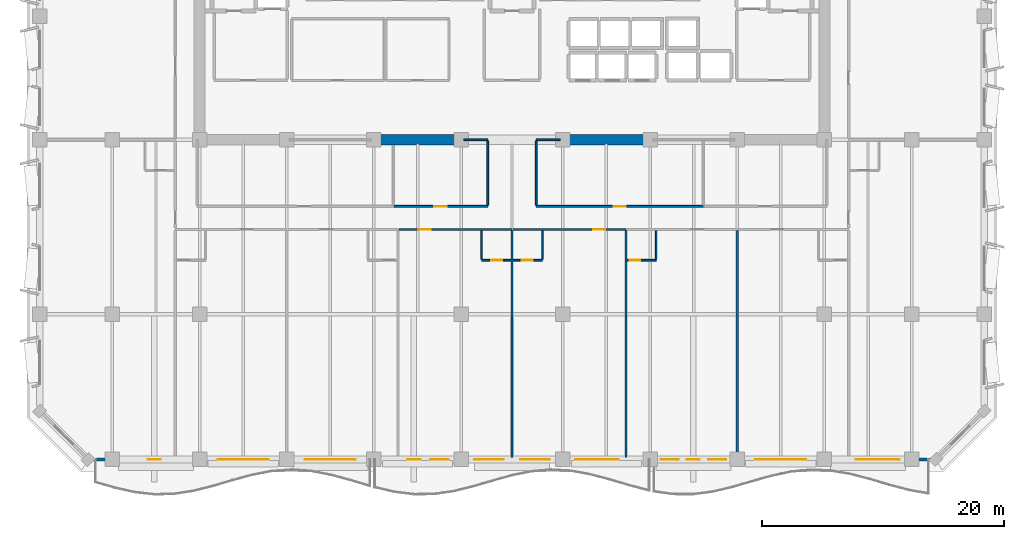
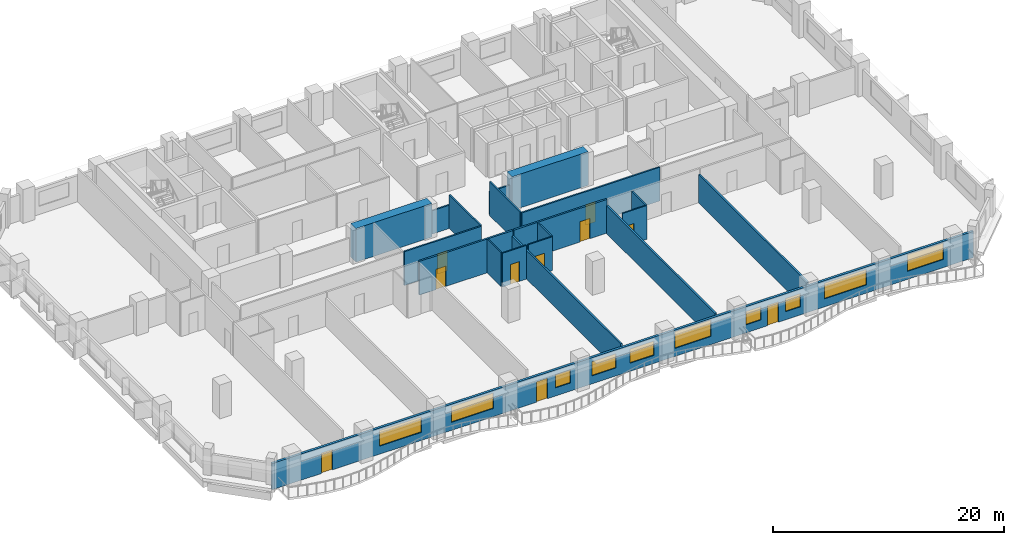
# One storey, part 5 of 14: 20 walls, 10 doors, 10 windows, 20 openings.
"""IFC4 building model written with IfcOpenShell, lengths in metres."""

from ifc_helpers import new_model, si_unit, direction, frame, frame_2d, origin, place, context, subcontext, project, spatial, rectangle, extrude, material, layer, layer_set, type_object, element, fill, save


model = new_model("IFC4")

# Units and contexts
model_context = context("Model", 3, precision=1e-05, world=origin(), true_north=direction((0.0, 1.0)))
body_context = subcontext(model_context, "Body", "Model", "MODEL_VIEW")
ifc_project = project(units=[si_unit("LENGTHUNIT", "METRE"), si_unit("AREAUNIT", "SQUARE_METRE"), si_unit("VOLUMEUNIT", "CUBIC_METRE"), si_unit("PLANEANGLEUNIT", "RADIAN"), si_unit("MASSUNIT", "GRAM", prefix="KILO")], contexts=[model_context])

# Site, building, storey
site_placement = place(None, origin())
site = spatial("IfcSite", under=ifc_project, at=site_placement, CompositionType="ELEMENT")
building_placement = place(site_placement, origin())
building = spatial("IfcBuilding", under=site, at=building_placement, Name="Kaelvorn Grand Hotel", CompositionType="ELEMENT")
storey_placement = place(building_placement, frame((0.0, 0.0, 197.75)))
storey = spatial("IfcBuildingStorey", under=building, at=storey_placement, Name="L48", CompositionType="ELEMENT", Elevation=197.75)

# Walls
ifc_material_1 = material(Name="Concrete C60/75", Category="concrete")
ifc_layer_1 = layer(ifc_material_1, 0.89990234375)
ifc_layer_set_1 = layer_set([ifc_layer_1], Name="Concrete C60/75")
wall_type_1 = type_object("IfcWallType", Name="WL-CORE-900-C60", PredefinedType="SHEAR", material=ifc_layer_set_1)
for number, where, z_axis, x_axis, name in (
    (1, (30.39990234375, 29.39990234375, 0.0), (0.0, 0.0, 1.0), (1.0, 0.0, 0.0), "L48 Rear-Core Coupled Shear Pier S2"),
    (2, (46.0, 29.39990234375, 0.0), (0.0, 0.0, 1.0), (1.0, 0.0, 0.0), "L48 Rear-Core Coupled Shear Pier S3"),
):
    element("IfcWall", number, at=place(storey_placement, frame(where, z_axis=z_axis, x_axis=x_axis)), inside=storey, type_object=wall_type_1, Name=name, PredefinedType="SHEAR", context=body_context, shape_type="SweptSolid", body=[
        extrude(rectangle(XDim=7.60009765625, YDim=0.89990234375, at=frame_2d((3.800048828125, 0.0))), origin(), (0.0, 0.0, 1.0), 3.56005859375),
    ])

# Wall, openings, doors, windows
ifc_material_2 = material(Name="Concrete C40/50", Category="concrete")
ifc_layer_2 = layer(ifc_material_2, 0.239990234375)
ifc_layer_set_2 = layer_set([ifc_layer_2], Name="Concrete C40/50")
wall_type_2 = type_object("IfcWallType", Name="WL-EXT-240-C40", PredefinedType="SOLIDWALL", material=ifc_layer_set_2)
wall_1_placement = place(storey_placement, frame((7.0, 3.0, 0.0), z_axis=(0.0, 0.0, 1.0), x_axis=(1.0, 0.0, 0.0)))
wall_1 = element("IfcWall", 3, at=wall_1_placement, inside=storey, type_object=wall_type_2, Name="L48 Exterior Architectural Concrete Wall 01", PredefinedType="SOLIDWALL", context=body_context, shape_type="SweptSolid", body=[
    extrude(rectangle(XDim=70.0, YDim=0.239990234375, at=frame_2d((35.0, 0.0))), origin(), (0.0, 0.0, 1.0), 2.760009765625),
])
opening_1_placement = place(wall_1_placement, frame((4.906982421875, 0.0, 0.0)))
opening_1 = element("IfcOpeningElement", 4, at=opening_1_placement, cuts=wall_1, Name="Opening DE2", PredefinedType="OPENING", context=body_context, shape_type="SweptSolid", body=[
    extrude(rectangle(XDim=1.10009765625, YDim=2.14990234375, at=frame_2d((0.550048828125, 1.074951171875))), frame((0.0, 0.1298828125, 0.0), z_axis=(0.0, -1.0, 0.0), x_axis=(1.0, 0.0, 0.0)), (0.0, 0.0, 1.0), 0.260009765625),
])
opening_2_placement = place(wall_1_placement, frame((26.354736328125, 0.0, 0.0)))
opening_2 = element("IfcOpeningElement", 5, at=opening_2_placement, cuts=wall_1, Name="Opening DE2", PredefinedType="OPENING", context=body_context, shape_type="SweptSolid", body=[
    extrude(rectangle(XDim=1.10009765625, YDim=2.14990234375, at=frame_2d((0.550048828125, 1.074951171875))), frame((0.0, 0.1298828125, 0.0), z_axis=(0.0, -1.0, 0.0), x_axis=(1.0, 0.0, 0.0)), (0.0, 0.0, 1.0), 0.260009765625),
])
opening_3_placement = place(wall_1_placement, frame((49.42138671875, 0.0, 0.0)))
opening_3 = element("IfcOpeningElement", 6, at=opening_3_placement, cuts=wall_1, Name="Opening DE2", PredefinedType="OPENING", context=body_context, shape_type="SweptSolid", body=[
    extrude(rectangle(XDim=1.10009765625, YDim=2.14990234375, at=frame_2d((0.550048828125, 1.074951171875))), frame((0.0, 0.1298828125, 0.0), z_axis=(0.0, -1.0, 0.0), x_axis=(1.0, 0.0, 0.0)), (0.0, 0.0, 1.0), 0.260009765625),
])
opening_4_placement = place(wall_1_placement, frame((10.699951171875, 0.0, 0.85009765625)))
opening_4 = element("IfcOpeningElement", 7, at=opening_4_placement, cuts=wall_1, Name="Opening W2", PredefinedType="OPENING", context=body_context, shape_type="SweptSolid", body=[
    extrude(rectangle(XDim=4.199951171875, YDim=1.64990234375, at=frame_2d((2.10009765625, 0.824951171875))), frame((0.0, 0.1298828125, 0.0), z_axis=(0.0, -1.0, 0.0), x_axis=(1.0, 0.0, 0.0)), (0.0, 0.0, 1.0), 0.260009765625),
])
opening_5_placement = place(wall_1_placement, frame((17.89990234375, 0.0, 0.85009765625)))
opening_5 = element("IfcOpeningElement", 8, at=opening_5_placement, cuts=wall_1, Name="Opening W2", PredefinedType="OPENING", context=body_context, shape_type="SweptSolid", body=[
    extrude(rectangle(XDim=4.199951171875, YDim=1.64990234375, at=frame_2d((2.10009765625, 0.824951171875))), frame((0.0, 0.1298828125, 0.0), z_axis=(0.0, -1.0, 0.0), x_axis=(1.0, 0.0, 0.0)), (0.0, 0.0, 1.0), 0.260009765625),
])
opening_6_placement = place(wall_1_placement, frame((28.262451171875, 0.0, 0.85009765625)))
opening_6 = element("IfcOpeningElement", 9, at=opening_6_placement, cuts=wall_1, Name="Opening W10", PredefinedType="OPENING", context=body_context, shape_type="SweptSolid", body=[
    extrude(rectangle(XDim=1.5, YDim=1.39990234375, at=frame_2d((0.75, 0.699951171875))), frame((0.0, 0.1298828125, 0.0), z_axis=(0.0, -1.0, 0.0), x_axis=(1.0, 0.0, 0.0)), (0.0, 0.0, 1.0), 0.260009765625),
])
opening_7_placement = place(wall_1_placement, frame((31.89990234375, 0.0, 0.85009765625)))
opening_7 = element("IfcOpeningElement", 10, at=opening_7_placement, cuts=wall_1, Name="Opening W6", PredefinedType="OPENING", context=body_context, shape_type="SweptSolid", body=[
    extrude(rectangle(XDim=2.39990234375, YDim=1.5, at=frame_2d((1.199951171875, 0.75))), frame((0.0, 0.1298828125, 0.0), z_axis=(0.0, -1.0, 0.0), x_axis=(1.0, 0.0, 0.0)), (0.0, 0.0, 1.0), 0.260009765625),
])
opening_8_placement = place(wall_1_placement, frame((35.699951171875, 0.0, 0.85009765625)))
opening_8 = element("IfcOpeningElement", 11, at=opening_8_placement, cuts=wall_1, Name="Opening W6", PredefinedType="OPENING", context=body_context, shape_type="SweptSolid", body=[
    extrude(rectangle(XDim=2.39990234375, YDim=1.5, at=frame_2d((1.199951171875, 0.75))), frame((0.0, 0.1298828125, 0.0), z_axis=(0.0, -1.0, 0.0), x_axis=(1.0, 0.0, 0.0)), (0.0, 0.0, 1.0), 0.260009765625),
])
opening_9_placement = place(wall_1_placement, frame((40.20458984375, 0.0, 0.85009765625)))
opening_9 = element("IfcOpeningElement", 12, at=opening_9_placement, cuts=wall_1, Name="Opening W3", PredefinedType="OPENING", context=body_context, shape_type="SweptSolid", body=[
    extrude(rectangle(XDim=3.60009765625, YDim=1.75, at=frame_2d((1.800048828125, 0.875))), frame((0.0, 0.1298828125, 0.0), z_axis=(0.0, -1.0, 0.0), x_axis=(1.0, 0.0, 0.0)), (0.0, 0.0, 1.0), 0.260009765625),
])
opening_10_placement = place(wall_1_placement, frame((47.275634765625, 0.0, 0.85009765625)))
opening_10 = element("IfcOpeningElement", 13, at=opening_10_placement, cuts=wall_1, Name="Opening W10", PredefinedType="OPENING", context=body_context, shape_type="SweptSolid", body=[
    extrude(rectangle(XDim=1.5, YDim=1.39990234375, at=frame_2d((0.75, 0.699951171875))), frame((0.0, 0.1298828125, 0.0), z_axis=(0.0, -1.0, 0.0), x_axis=(1.0, 0.0, 0.0)), (0.0, 0.0, 1.0), 0.260009765625),
])
opening_11_placement = place(wall_1_placement, frame((51.19580078125, 0.0, 0.85009765625)))
opening_11 = element("IfcOpeningElement", 14, at=opening_11_placement, cuts=wall_1, Name="Opening W10", PredefinedType="OPENING", context=body_context, shape_type="SweptSolid", body=[
    extrude(rectangle(XDim=1.5, YDim=1.39990234375, at=frame_2d((0.75, 0.699951171875))), frame((0.0, 0.1298828125, 0.0), z_axis=(0.0, -1.0, 0.0), x_axis=(1.0, 0.0, 0.0)), (0.0, 0.0, 1.0), 0.260009765625),
])
opening_12_placement = place(wall_1_placement, frame((55.10009765625, 0.0, 0.85009765625)))
opening_12 = element("IfcOpeningElement", 15, at=opening_12_placement, cuts=wall_1, Name="Opening W2", PredefinedType="OPENING", context=body_context, shape_type="SweptSolid", body=[
    extrude(rectangle(XDim=4.199951171875, YDim=1.64990234375, at=frame_2d((2.10009765625, 0.824951171875))), frame((0.0, 0.1298828125, 0.0), z_axis=(0.0, -1.0, 0.0), x_axis=(1.0, 0.0, 0.0)), (0.0, 0.0, 1.0), 0.260009765625),
])
opening_13_placement = place(wall_1_placement, frame((63.39990234375, 0.0, 0.85009765625)))
opening_13 = element("IfcOpeningElement", 16, at=opening_13_placement, cuts=wall_1, Name="Opening W3", PredefinedType="OPENING", context=body_context, shape_type="SweptSolid", body=[
    extrude(rectangle(XDim=3.60009765625, YDim=1.75, at=frame_2d((1.800048828125, 0.875))), frame((0.0, 0.1298828125, 0.0), z_axis=(0.0, -1.0, 0.0), x_axis=(1.0, 0.0, 0.0)), (0.0, 0.0, 1.0), 0.260009765625),
])
ifc_material_3 = material(Name="Anodised Aluminium", Category="aluminium")
door_type_1 = type_object("IfcDoorType", Name="DR-EXT-BALC-1100x2150", OperationType="NOTDEFINED", PredefinedType="DOOR", material=ifc_material_3)
door_1_placement = place(opening_1_placement, origin())
door_1 = element("IfcDoor", 17, at=door_1_placement, inside=storey, type_object=door_type_1, Name="L48 Scalloped Balcony Glazed Door DE2-1", OperationType="SINGLE_SWING_LEFT", OverallHeight=2.14990234375, OverallWidth=1.10009765625, PredefinedType="DOOR", context=body_context, shape_type="SweptSolid", body=[
    extrude(rectangle(XDim=1.10009765625, YDim=2.14990234375, at=frame_2d((0.550048828125, 1.074951171875))), frame((0.0, 0.02490234375, 0.0), z_axis=(0.0, -1.0, 0.0), x_axis=(1.0, 0.0, 0.0)), (0.0, 0.0, 1.0), 0.050048828125),
])
fill(opening_1, door_1)
door_2_placement = place(opening_2_placement, origin())
door_2 = element("IfcDoor", 18, at=door_2_placement, inside=storey, type_object=door_type_1, Name="L48 Scalloped Balcony Glazed Door DE2-2", OperationType="SINGLE_SWING_RIGHT", OverallHeight=2.14990234375, OverallWidth=1.10009765625, PredefinedType="DOOR", context=body_context, shape_type="SweptSolid", body=[
    extrude(rectangle(XDim=1.10009765625, YDim=2.14990234375, at=frame_2d((0.550048828125, 1.074951171875))), frame((0.0, 0.02490234375, 0.0), z_axis=(0.0, -1.0, 0.0), x_axis=(1.0, 0.0, 0.0)), (0.0, 0.0, 1.0), 0.050048828125),
])
fill(opening_2, door_2)
door_3_placement = place(opening_3_placement, origin())
door_3 = element("IfcDoor", 19, at=door_3_placement, inside=storey, type_object=door_type_1, Name="L48 Scalloped Balcony Glazed Door DE2-3", OperationType="SINGLE_SWING_LEFT", OverallHeight=2.14990234375, OverallWidth=1.10009765625, PredefinedType="DOOR", context=body_context, shape_type="SweptSolid", body=[
    extrude(rectangle(XDim=1.10009765625, YDim=2.14990234375, at=frame_2d((0.550048828125, 1.074951171875))), frame((0.0, 0.02490234375, 0.0), z_axis=(0.0, -1.0, 0.0), x_axis=(1.0, 0.0, 0.0)), (0.0, 0.0, 1.0), 0.050048828125),
])
fill(opening_3, door_3)
ifc_material_4 = material(Name="Laminated Low-E Glass", Category="glass")
window_type_1 = type_object("IfcWindowType", Name="WIN-COR-1500x1400", PartitioningType="SINGLE_PANEL", PredefinedType="WINDOW", material=ifc_material_4)
window_1_placement = place(opening_6_placement, origin())
window_1 = element("IfcWindow", 20, at=window_1_placement, inside=storey, type_object=window_type_1, Name="L48 South Guestroom Ribbon Window SR03", OverallHeight=1.39990234375, OverallWidth=1.5, PartitioningType="SINGLE_PANEL", PredefinedType="WINDOW", context=body_context, shape_type="SweptSolid", body=[
    extrude(rectangle(XDim=1.5, YDim=1.39990234375, at=frame_2d((0.75, 0.699951171875))), frame((0.0, 0.030029296875, 0.0), z_axis=(0.0, -1.0, 0.0), x_axis=(1.0, 0.0, 0.0)), (0.0, 0.0, 1.0), 0.06005859375),
])
fill(opening_6, window_1)
window_2_placement = place(opening_10_placement, origin())
window_2 = element("IfcWindow", 21, at=window_2_placement, inside=storey, type_object=window_type_1, Name="L48 South Guestroom Ribbon Window SR07", OverallHeight=1.39990234375, OverallWidth=1.5, PartitioningType="SINGLE_PANEL", PredefinedType="WINDOW", context=body_context, shape_type="SweptSolid", body=[
    extrude(rectangle(XDim=1.5, YDim=1.39990234375, at=frame_2d((0.75, 0.699951171875))), frame((0.0, 0.030029296875, 0.0), z_axis=(0.0, -1.0, 0.0), x_axis=(1.0, 0.0, 0.0)), (0.0, 0.0, 1.0), 0.06005859375),
])
fill(opening_10, window_2)
window_3_placement = place(opening_11_placement, origin())
window_3 = element("IfcWindow", 22, at=window_3_placement, inside=storey, type_object=window_type_1, Name="L48 South Guestroom Ribbon Window SR08", OverallHeight=1.39990234375, OverallWidth=1.5, PartitioningType="SINGLE_PANEL", PredefinedType="WINDOW", context=body_context, shape_type="SweptSolid", body=[
    extrude(rectangle(XDim=1.5, YDim=1.39990234375, at=frame_2d((0.75, 0.699951171875))), frame((0.0, 0.030029296875, 0.0), z_axis=(0.0, -1.0, 0.0), x_axis=(1.0, 0.0, 0.0)), (0.0, 0.0, 1.0), 0.06005859375),
])
fill(opening_11, window_3)
window_type_2 = type_object("IfcWindowType", Name="WIN-NTH-2400x1500", PartitioningType="SINGLE_PANEL", PredefinedType="WINDOW", material=ifc_material_4)
window_4_placement = place(opening_7_placement, origin())
window_4 = element("IfcWindow", 23, at=window_4_placement, inside=storey, type_object=window_type_2, Name="L48 South Guestroom Ribbon Window SR04", OverallHeight=1.5, OverallWidth=2.39990234375, PartitioningType="SINGLE_PANEL", PredefinedType="WINDOW", context=body_context, shape_type="SweptSolid", body=[
    extrude(rectangle(XDim=2.39990234375, YDim=1.5, at=frame_2d((1.199951171875, 0.75))), frame((0.0, 0.030029296875, 0.0), z_axis=(0.0, -1.0, 0.0), x_axis=(1.0, 0.0, 0.0)), (0.0, 0.0, 1.0), 0.06005859375),
])
fill(opening_7, window_4)
window_5_placement = place(opening_8_placement, origin())
window_5 = element("IfcWindow", 24, at=window_5_placement, inside=storey, type_object=window_type_2, Name="L48 South Guestroom Ribbon Window SR05", OverallHeight=1.5, OverallWidth=2.39990234375, PartitioningType="SINGLE_PANEL", PredefinedType="WINDOW", context=body_context, shape_type="SweptSolid", body=[
    extrude(rectangle(XDim=2.39990234375, YDim=1.5, at=frame_2d((1.199951171875, 0.75))), frame((0.0, 0.030029296875, 0.0), z_axis=(0.0, -1.0, 0.0), x_axis=(1.0, 0.0, 0.0)), (0.0, 0.0, 1.0), 0.06005859375),
])
fill(opening_8, window_5)
window_type_3 = type_object("IfcWindowType", Name="WIN-RIB-3600x1750", PartitioningType="SINGLE_PANEL", PredefinedType="WINDOW", material=ifc_material_4)
window_6_placement = place(opening_9_placement, origin())
window_6 = element("IfcWindow", 25, at=window_6_placement, inside=storey, type_object=window_type_3, Name="L48 South Guestroom Ribbon Window SR06", OverallHeight=1.75, OverallWidth=3.60009765625, PartitioningType="SINGLE_PANEL", PredefinedType="WINDOW", context=body_context, shape_type="SweptSolid", body=[
    extrude(rectangle(XDim=3.60009765625, YDim=1.75, at=frame_2d((1.800048828125, 0.875))), frame((0.0, 0.030029296875, 0.0), z_axis=(0.0, -1.0, 0.0), x_axis=(1.0, 0.0, 0.0)), (0.0, 0.0, 1.0), 0.06005859375),
])
fill(opening_9, window_6)
window_7_placement = place(opening_13_placement, origin())
window_7 = element("IfcWindow", 26, at=window_7_placement, inside=storey, type_object=window_type_3, Name="L48 South Guestroom Ribbon Window SR10", OverallHeight=1.75, OverallWidth=3.60009765625, PartitioningType="SINGLE_PANEL", PredefinedType="WINDOW", context=body_context, shape_type="SweptSolid", body=[
    extrude(rectangle(XDim=3.60009765625, YDim=1.75, at=frame_2d((1.800048828125, 0.875))), frame((0.0, 0.030029296875, 0.0), z_axis=(0.0, -1.0, 0.0), x_axis=(1.0, 0.0, 0.0)), (0.0, 0.0, 1.0), 0.06005859375),
])
fill(opening_13, window_7)
window_type_4 = type_object("IfcWindowType", Name="WIN-RIB-4200x1650", PartitioningType="SINGLE_PANEL", PredefinedType="WINDOW", material=ifc_material_4)
window_8_placement = place(opening_4_placement, origin())
window_8 = element("IfcWindow", 27, at=window_8_placement, inside=storey, type_object=window_type_4, Name="L48 South Guestroom Ribbon Window SR01", OverallHeight=1.64990234375, OverallWidth=4.199951171875, PartitioningType="SINGLE_PANEL", PredefinedType="WINDOW", context=body_context, shape_type="SweptSolid", body=[
    extrude(rectangle(XDim=4.199951171875, YDim=1.64990234375, at=frame_2d((2.10009765625, 0.824951171875))), frame((0.0, 0.030029296875, 0.0), z_axis=(0.0, -1.0, 0.0), x_axis=(1.0, 0.0, 0.0)), (0.0, 0.0, 1.0), 0.06005859375),
])
fill(opening_4, window_8)
window_9_placement = place(opening_5_placement, origin())
window_9 = element("IfcWindow", 28, at=window_9_placement, inside=storey, type_object=window_type_4, Name="L48 South Guestroom Ribbon Window SR02", OverallHeight=1.64990234375, OverallWidth=4.199951171875, PartitioningType="SINGLE_PANEL", PredefinedType="WINDOW", context=body_context, shape_type="SweptSolid", body=[
    extrude(rectangle(XDim=4.199951171875, YDim=1.64990234375, at=frame_2d((2.10009765625, 0.824951171875))), frame((0.0, 0.030029296875, 0.0), z_axis=(0.0, -1.0, 0.0), x_axis=(1.0, 0.0, 0.0)), (0.0, 0.0, 1.0), 0.06005859375),
])
fill(opening_5, window_9)
window_10_placement = place(opening_12_placement, origin())
window_10 = element("IfcWindow", 29, at=window_10_placement, inside=storey, type_object=window_type_4, Name="L48 South Guestroom Ribbon Window SR09", OverallHeight=1.64990234375, OverallWidth=4.199951171875, PartitioningType="SINGLE_PANEL", PredefinedType="WINDOW", context=body_context, shape_type="SweptSolid", body=[
    extrude(rectangle(XDim=4.199951171875, YDim=1.64990234375, at=frame_2d((2.10009765625, 0.824951171875))), frame((0.0, 0.030029296875, 0.0), z_axis=(0.0, -1.0, 0.0), x_axis=(1.0, 0.0, 0.0)), (0.0, 0.0, 1.0), 0.06005859375),
])
fill(opening_12, window_10)

# Wall, opening, door
ifc_material_5 = material(Name="Moisture-Resistant Tile & Stud Board")
ifc_layer_3 = layer(ifc_material_5, 0.125)
ifc_layer_set_3 = layer_set([ifc_layer_3], Name="Moisture-Resistant Tile & Stud Board")
wall_type_3 = type_object("IfcWallType", Name="WL-PART-125-WET", PredefinedType="PARTITIONING", material=ifc_layer_set_3)
wall_2_placement = place(storey_placement, frame((39.5, 19.449951171875, 0.0), z_axis=(0.0, 0.0, 1.0), x_axis=(1.0, 0.0, 0.0)))
wall_2 = element("IfcWall", 30, at=wall_2_placement, inside=storey, type_object=wall_type_3, Name="L48 En-suite Bathroom L48-03 S Partition", PredefinedType="PARTITIONING", context=body_context, shape_type="SweptSolid", body=[
    extrude(rectangle(XDim=2.405029296875, YDim=0.125, at=frame_2d((1.20263671875, 0.0))), origin(), (0.0, 0.0, 1.0), 3.56005859375),
])
opening_14_placement = place(wall_2_placement, frame((0.800048828125, 0.0, 0.0)))
opening_14 = element("IfcOpeningElement", 31, at=opening_14_placement, cuts=wall_2, Name="Opening DI4", PredefinedType="OPENING", context=body_context, shape_type="SweptSolid", body=[
    extrude(rectangle(XDim=0.89990234375, YDim=2.10009765625, at=frame_2d((0.449951171875, 1.050048828125))), frame((0.0, 0.072509765625, 0.0), z_axis=(0.0, -1.0, 0.0), x_axis=(1.0, 0.0, 0.0)), (0.0, 0.0, 1.0), 0.14501953125),
])
ifc_material_6 = material(Name="Timber Veneer Leaf", Category="wood")
door_type_2 = type_object("IfcDoorType", Name="DR-INT-BATH-900x2100", OperationType="NOTDEFINED", PredefinedType="DOOR", material=ifc_material_6)
door_4_placement = place(opening_14_placement, origin())
door_4 = element("IfcDoor", 32, at=door_4_placement, inside=storey, type_object=door_type_2, Name="L48 En-suite Bathroom L48-03 Door", OperationType="SINGLE_SWING_RIGHT", OverallHeight=2.10009765625, OverallWidth=0.89990234375, PredefinedType="DOOR", context=body_context, shape_type="SweptSolid", body=[
    extrude(rectangle(XDim=0.89990234375, YDim=2.10009765625, at=frame_2d((0.449951171875, 1.050048828125))), frame((0.0, 0.02490234375, 0.0), z_axis=(0.0, -1.0, 0.0), x_axis=(1.0, 0.0, 0.0)), (0.0, 0.0, 1.0), 0.050048828125),
])
fill(opening_14, door_4)

# Wall
wall_3_placement = place(storey_placement, frame((39.5, 19.517578125, 0.0), z_axis=(0.0, 0.0, 1.0), x_axis=(0.0, 1.0, 0.0)))
element("IfcWall", 33, at=wall_3_placement, inside=storey, type_object=wall_type_3, Name="L48 En-suite Bathroom L48-03 W Partition", PredefinedType="PARTITIONING", context=body_context, shape_type="SweptSolid", body=[
    extrude(rectangle(XDim=2.387451171875, YDim=0.125, at=frame_2d((1.19384765625, 0.0))), origin(), (0.0, 0.0, 1.0), 3.56005859375),
])

# Wall, opening, door
wall_4_placement = place(storey_placement, frame((42.094970703125, 19.449951171875, 0.0), z_axis=(0.0, 0.0, 1.0), x_axis=(1.0, 0.0, 0.0)))
wall_4 = element("IfcWall", 34, at=wall_4_placement, inside=storey, type_object=wall_type_3, Name="L48 En-suite Bathroom L48-04 S Partition", PredefinedType="PARTITIONING", context=body_context, shape_type="SweptSolid", body=[
    extrude(rectangle(XDim=2.405029296875, YDim=0.125, at=frame_2d((1.20263671875, 0.0))), origin(), (0.0, 0.0, 1.0), 3.56005859375),
])
opening_15_placement = place(wall_4_placement, frame((0.705078125, 0.0, 0.0)))
opening_15 = element("IfcOpeningElement", 35, at=opening_15_placement, cuts=wall_4, Name="Opening DI4", PredefinedType="OPENING", context=body_context, shape_type="SweptSolid", body=[
    extrude(rectangle(XDim=0.89990234375, YDim=2.10009765625, at=frame_2d((0.449951171875, 1.050048828125))), frame((0.0, 0.072509765625, 0.0), z_axis=(0.0, -1.0, 0.0), x_axis=(1.0, 0.0, 0.0)), (0.0, 0.0, 1.0), 0.14501953125),
])
door_5_placement = place(opening_15_placement, origin())
door_5 = element("IfcDoor", 36, at=door_5_placement, inside=storey, type_object=door_type_2, Name="L48 En-suite Bathroom L48-04 Door", OperationType="SINGLE_SWING_RIGHT", OverallHeight=2.10009765625, OverallWidth=0.89990234375, PredefinedType="DOOR", context=body_context, shape_type="SweptSolid", body=[
    extrude(rectangle(XDim=0.89990234375, YDim=2.10009765625, at=frame_2d((0.449951171875, 1.050048828125))), frame((0.0, 0.02490234375, 0.0), z_axis=(0.0, -1.0, 0.0), x_axis=(1.0, 0.0, 0.0)), (0.0, 0.0, 1.0), 0.050048828125),
])
fill(opening_15, door_5)

# Wall
wall_5_placement = place(storey_placement, frame((44.5, 19.517578125, 0.0), z_axis=(0.0, 0.0, 1.0), x_axis=(0.0, 1.0, 0.0)))
element("IfcWall", 37, at=wall_5_placement, inside=storey, type_object=wall_type_3, Name="L48 En-suite Bathroom L48-04 E Partition", PredefinedType="PARTITIONING", context=body_context, shape_type="SweptSolid", body=[
    extrude(rectangle(XDim=2.387451171875, YDim=0.125, at=frame_2d((1.19384765625, 0.0))), origin(), (0.0, 0.0, 1.0), 3.56005859375),
])

# Wall, opening, door
wall_6_placement = place(storey_placement, frame((51.504150390625, 19.449951171875, 0.0), z_axis=(0.0, 0.0, 1.0), x_axis=(1.0, 0.0, 0.0)))
wall_6 = element("IfcWall", 38, at=wall_6_placement, inside=storey, type_object=wall_type_3, Name="L48 En-suite Bathroom L48-05 S Partition", PredefinedType="PARTITIONING", context=body_context, shape_type="SweptSolid", body=[
    extrude(rectangle(XDim=2.405029296875, YDim=0.125, at=frame_2d((1.20263671875, 0.0))), origin(), (0.0, 0.0, 1.0), 3.56005859375),
])
opening_16_placement = place(wall_6_placement, frame((0.205078125, 0.0, 0.0)))
opening_16 = element("IfcOpeningElement", 39, at=opening_16_placement, cuts=wall_6, Name="Opening DI4", PredefinedType="OPENING", context=body_context, shape_type="SweptSolid", body=[
    extrude(rectangle(XDim=0.89990234375, YDim=2.10009765625, at=frame_2d((0.449951171875, 1.050048828125))), frame((0.0, 0.072509765625, 0.0), z_axis=(0.0, -1.0, 0.0), x_axis=(1.0, 0.0, 0.0)), (0.0, 0.0, 1.0), 0.14501953125),
])
door_6_placement = place(opening_16_placement, origin())
door_6 = element("IfcDoor", 40, at=door_6_placement, inside=storey, type_object=door_type_2, Name="L48 En-suite Bathroom L48-05 Door", OperationType="SINGLE_SWING_RIGHT", OverallHeight=2.10009765625, OverallWidth=0.89990234375, PredefinedType="DOOR", context=body_context, shape_type="SweptSolid", body=[
    extrude(rectangle(XDim=0.89990234375, YDim=2.10009765625, at=frame_2d((0.449951171875, 1.050048828125))), frame((0.0, 0.02490234375, 0.0), z_axis=(0.0, -1.0, 0.0), x_axis=(1.0, 0.0, 0.0)), (0.0, 0.0, 1.0), 0.050048828125),
])
fill(opening_16, door_6)

# Wall
wall_7_placement = place(storey_placement, frame((53.9091796875, 19.517578125, 0.0), z_axis=(0.0, 0.0, 1.0), x_axis=(0.0, 1.0, 0.0)))
element("IfcWall", 41, at=wall_7_placement, inside=storey, type_object=wall_type_3, Name="L48 En-suite Bathroom L48-05 E Partition", PredefinedType="PARTITIONING", context=body_context, shape_type="SweptSolid", body=[
    extrude(rectangle(XDim=2.387451171875, YDim=0.125, at=frame_2d((1.19384765625, 0.0))), origin(), (0.0, 0.0, 1.0), 3.56005859375),
])

# Wall, opening, door
ifc_material_7 = material(Name="Acoustic Gypsum & Stud Partition")
ifc_layer_4 = layer(ifc_material_7, 0.14990234375)
ifc_layer_set_4 = layer_set([ifc_layer_4], Name="Acoustic Gypsum & Stud Partition")
wall_type_4 = type_object("IfcWallType", Name="WL-PART-150-EI60", PredefinedType="PARTITIONING", material=ifc_layer_set_4)
wall_8_placement = place(storey_placement, frame((32.280029296875, 23.89990234375, 0.0), z_axis=(0.0, 0.0, 1.0), x_axis=(1.0, 0.0, 0.0)))
wall_8 = element("IfcWall", 42, at=wall_8_placement, inside=storey, type_object=wall_type_4, Name="L48 Pastry & Tea Kitchen S Partition", PredefinedType="PARTITIONING", context=body_context, shape_type="SweptSolid", body=[
    extrude(rectangle(XDim=7.719970703125, YDim=0.14990234375, at=frame_2d((3.85986328125, 0.0))), origin(), (0.0, 0.0, 1.0), 3.56005859375),
])
opening_17_placement = place(wall_8_placement, frame((3.320068359375, 0.0, 0.0)))
opening_17 = element("IfcOpeningElement", 43, at=opening_17_placement, cuts=wall_8, Name="Opening DI3", PredefinedType="OPENING", context=body_context, shape_type="SweptSolid", body=[
    extrude(rectangle(XDim=1.0, YDim=2.14990234375, at=frame_2d((0.5, 1.074951171875))), frame((0.0, 0.0849609375, 0.0), z_axis=(0.0, -1.0, 0.0), x_axis=(1.0, 0.0, 0.0)), (0.0, 0.0, 1.0), 0.169921875),
])
ifc_material_8 = material(Name="Timber Veneer Fire Leaf", Category="wood")
door_type_3 = type_object("IfcDoorType", Name="DR-INT-GUEST-1000x2150", OperationType="NOTDEFINED", PredefinedType="DOOR", material=ifc_material_8)
door_7_placement = place(opening_17_placement, origin())
door_7 = element("IfcDoor", 44, at=door_7_placement, inside=storey, type_object=door_type_3, Name="L48 Pastry & Tea Kitchen Door", OperationType="SINGLE_SWING_RIGHT", OverallHeight=2.14990234375, OverallWidth=1.0, PredefinedType="DOOR", context=body_context, shape_type="SweptSolid", body=[
    extrude(rectangle(XDim=1.0, YDim=2.14990234375, at=frame_2d((0.5, 1.074951171875))), frame((0.0, 0.02490234375, 0.0), z_axis=(0.0, -1.0, 0.0), x_axis=(1.0, 0.0, 0.0)), (0.0, 0.0, 1.0), 0.050048828125),
])
fill(opening_17, door_7)

# Walls
wall_9_placement = place(storey_placement, frame((38.010009765625, 29.39990234375, 0.0), z_axis=(0.0, 0.0, 1.0), x_axis=(1.0, 0.0, 0.0)))
element("IfcWall", 45, at=wall_9_placement, inside=storey, type_object=wall_type_4, Name="L48 Pastry & Tea Kitchen N Partition", PredefinedType="PARTITIONING", context=body_context, shape_type="SweptSolid", body=[
    extrude(rectangle(XDim=1.989990234375, YDim=0.14990234375, at=frame_2d((0.9951171875, 0.0))), origin(), (0.0, 0.0, 1.0), 2.4599609375),
])
wall_10_placement = place(storey_placement, frame((40.0, 23.97998046875, 0.0), z_axis=(0.0, 0.0, 1.0), x_axis=(0.0, 1.0, 0.0)))
element("IfcWall", 46, at=wall_10_placement, inside=storey, type_object=wall_type_4, Name="L48 Pastry & Tea Kitchen E Partition", PredefinedType="PARTITIONING", context=body_context, shape_type="SweptSolid", body=[
    extrude(rectangle(XDim=5.340087890625, YDim=0.14990234375, at=frame_2d((2.669921875, 0.0))), origin(), (0.0, 0.0, 1.0), 3.56005859375),
])

# Wall, opening, door
wall_11_placement = place(storey_placement, frame((44.0, 23.89990234375, 0.0), z_axis=(0.0, 0.0, 1.0), x_axis=(1.0, 0.0, 0.0)))
wall_11 = element("IfcWall", 47, at=wall_11_placement, inside=storey, type_object=wall_type_4, Name="L48 Family Sitting Room S Partition", PredefinedType="PARTITIONING", context=body_context, shape_type="SweptSolid", body=[
    extrude(rectangle(XDim=13.800048828125, YDim=0.14990234375, at=frame_2d((6.89990234375, 0.0))), origin(), (0.0, 0.0, 1.0), 3.56005859375),
])
opening_18_placement = place(wall_11_placement, frame((6.39990234375, 0.0, 0.0)))
opening_18 = element("IfcOpeningElement", 48, at=opening_18_placement, cuts=wall_11, Name="Opening DI3", PredefinedType="OPENING", context=body_context, shape_type="SweptSolid", body=[
    extrude(rectangle(XDim=1.0, YDim=2.14990234375, at=frame_2d((0.5, 1.074951171875))), frame((0.0, 0.0849609375, 0.0), z_axis=(0.0, -1.0, 0.0), x_axis=(1.0, 0.0, 0.0)), (0.0, 0.0, 1.0), 0.169921875),
])
door_8_placement = place(opening_18_placement, origin())
door_8 = element("IfcDoor", 49, at=door_8_placement, inside=storey, type_object=door_type_3, Name="L48 Family Sitting Room Door", OperationType="SINGLE_SWING_LEFT", OverallHeight=2.14990234375, OverallWidth=1.0, PredefinedType="DOOR", context=body_context, shape_type="SweptSolid", body=[
    extrude(rectangle(XDim=1.0, YDim=2.14990234375, at=frame_2d((0.5, 1.074951171875))), frame((0.0, 0.02490234375, 0.0), z_axis=(0.0, -1.0, 0.0), x_axis=(1.0, 0.0, 0.0)), (0.0, 0.0, 1.0), 0.050048828125),
])
fill(opening_18, door_8)

# Walls
wall_12_placement = place(storey_placement, frame((44.0, 29.39990234375, 0.0), z_axis=(0.0, 0.0, 1.0), x_axis=(1.0, 0.0, 0.0)))
element("IfcWall", 50, at=wall_12_placement, inside=storey, type_object=wall_type_4, Name="L48 Family Sitting Room N Partition (1)", PredefinedType="PARTITIONING", context=body_context, shape_type="SweptSolid", body=[
    extrude(rectangle(XDim=1.989990234375, YDim=0.14990234375, at=frame_2d((0.9951171875, 0.0))), origin(), (0.0, 0.0, 1.0), 2.4599609375),
])
wall_13_placement = place(storey_placement, frame((44.0, 23.97998046875, 0.0), z_axis=(0.0, 0.0, 1.0), x_axis=(0.0, 1.0, 0.0)))
element("IfcWall", 51, at=wall_13_placement, inside=storey, type_object=wall_type_4, Name="L48 Family Sitting Room W Partition", PredefinedType="PARTITIONING", context=body_context, shape_type="SweptSolid", body=[
    extrude(rectangle(XDim=5.340087890625, YDim=0.14990234375, at=frame_2d((2.669921875, 0.0))), origin(), (0.0, 0.0, 1.0), 3.56005859375),
])

# Wall, opening, door
ifc_layer_5 = layer(ifc_material_7, 0.179931640625)
ifc_layer_set_5 = layer_set([ifc_layer_5], Name="Acoustic Gypsum & Stud Partition")
wall_type_5 = type_object("IfcWallType", Name="WL-PART-180-EI60", PredefinedType="PARTITIONING", material=ifc_layer_set_5)
wall_14_placement = place(storey_placement, frame((32.685791015625, 22.0, 0.0), z_axis=(0.0, 0.0, 1.0), x_axis=(1.0, 0.0, 0.0)))
wall_14 = element("IfcWall", 52, at=wall_14_placement, inside=storey, type_object=wall_type_5, Name="L48 Mid-Rise Signature Suite L48-03 N Partition", PredefinedType="PARTITIONING", context=body_context, shape_type="SweptSolid", body=[
    extrude(rectangle(XDim=9.314208984375, YDim=0.179931640625, at=frame_2d((4.6572265625, 0.0))), origin(), (0.0, 0.0, 1.0), 3.56005859375),
])
opening_19_placement = place(wall_14_placement, frame((1.61962890625, 0.0, 0.0)))
opening_19 = element("IfcOpeningElement", 53, at=opening_19_placement, cuts=wall_14, Name="Opening DI3", PredefinedType="OPENING", context=body_context, shape_type="SweptSolid", body=[
    extrude(rectangle(XDim=1.0, YDim=2.14990234375, at=frame_2d((0.5, 1.074951171875))), frame((0.0, 0.10009765625, 0.0), z_axis=(0.0, -1.0, 0.0), x_axis=(1.0, 0.0, 0.0)), (0.0, 0.0, 1.0), 0.199951171875),
])
door_9_placement = place(opening_19_placement, origin())
door_9 = element("IfcDoor", 54, at=door_9_placement, inside=storey, type_object=door_type_3, Name="L48 Mid-Rise Signature Suite L48-03 Door", OperationType="SINGLE_SWING_LEFT", OverallHeight=2.14990234375, OverallWidth=1.0, PredefinedType="DOOR", context=body_context, shape_type="SweptSolid", body=[
    extrude(rectangle(XDim=1.0, YDim=2.14990234375, at=frame_2d((0.5, 1.074951171875))), frame((0.0, 0.02490234375, 0.0), z_axis=(0.0, -1.0, 0.0), x_axis=(1.0, 0.0, 0.0)), (0.0, 0.0, 1.0), 0.050048828125),
])
fill(opening_19, door_9)

# Wall
wall_15_placement = place(storey_placement, frame((42.0, 3.14990234375, 0.0), z_axis=(0.0, 0.0, 1.0), x_axis=(0.0, 1.0, 0.0)))
element("IfcWall", 55, at=wall_15_placement, inside=storey, type_object=wall_type_5, Name="L48 Mid-Rise Signature Suite L48-03 E Partition", PredefinedType="PARTITIONING", context=body_context, shape_type="SweptSolid", body=[
    extrude(rectangle(XDim=18.755126953125, YDim=0.179931640625, at=frame_2d((9.37744140625, 0.0))), origin(), (0.0, 0.0, 1.0), 3.010009765625),
])

# Wall, opening, door
wall_16_placement = place(storey_placement, frame((42.094970703125, 22.0, 0.0), z_axis=(0.0, 0.0, 1.0), x_axis=(1.0, 0.0, 0.0)))
wall_16 = element("IfcWall", 56, at=wall_16_placement, inside=storey, type_object=wall_type_5, Name="L48 Mid-Rise Signature Suite L48-04 N Partition", PredefinedType="PARTITIONING", context=body_context, shape_type="SweptSolid", body=[
    extrude(rectangle(XDim=9.314208984375, YDim=0.179931640625, at=frame_2d((4.6572265625, 0.0))), origin(), (0.0, 0.0, 1.0), 3.56005859375),
])
opening_20_placement = place(wall_16_placement, frame((6.599609375, 0.0, 0.0)))
opening_20 = element("IfcOpeningElement", 57, at=opening_20_placement, cuts=wall_16, Name="Opening DI3", PredefinedType="OPENING", context=body_context, shape_type="SweptSolid", body=[
    extrude(rectangle(XDim=1.0, YDim=2.14990234375, at=frame_2d((0.5, 1.074951171875))), frame((0.0, 0.10009765625, 0.0), z_axis=(0.0, -1.0, 0.0), x_axis=(1.0, 0.0, 0.0)), (0.0, 0.0, 1.0), 0.199951171875),
])
door_10_placement = place(opening_20_placement, origin())
door_10 = element("IfcDoor", 58, at=door_10_placement, inside=storey, type_object=door_type_3, Name="L48 Mid-Rise Signature Suite L48-04 Door", OperationType="SINGLE_SWING_LEFT", OverallHeight=2.14990234375, OverallWidth=1.0, PredefinedType="DOOR", context=body_context, shape_type="SweptSolid", body=[
    extrude(rectangle(XDim=1.0, YDim=2.14990234375, at=frame_2d((0.5, 1.074951171875))), frame((0.0, 0.02490234375, 0.0), z_axis=(0.0, -1.0, 0.0), x_axis=(1.0, 0.0, 0.0)), (0.0, 0.0, 1.0), 0.050048828125),
])
fill(opening_20, door_10)

# Walls
wall_17_placement = place(storey_placement, frame((51.4091796875, 3.14990234375, 0.0), z_axis=(0.0, 0.0, 1.0), x_axis=(0.0, 1.0, 0.0)))
element("IfcWall", 59, at=wall_17_placement, inside=storey, type_object=wall_type_5, Name="L48 Mid-Rise Signature Suite L48-04 E Partition", PredefinedType="PARTITIONING", context=body_context, shape_type="SweptSolid", body=[
    extrude(rectangle(XDim=18.755126953125, YDim=0.179931640625, at=frame_2d((9.37744140625, 0.0))), origin(), (0.0, 0.0, 1.0), 2.929931640625),
])
wall_18_placement = place(storey_placement, frame((60.6044921875, 3.14990234375, 0.0), z_axis=(0.0, 0.0, 1.0), x_axis=(0.0, 1.0, 0.0)))
element("IfcWall", 60, at=wall_18_placement, inside=storey, type_object=wall_type_5, Name="L48 Mid-Rise Signature Suite L48-05 E Partition", PredefinedType="PARTITIONING", context=body_context, shape_type="SweptSolid", body=[
    extrude(rectangle(XDim=18.755126953125, YDim=0.179931640625, at=frame_2d((9.37744140625, 0.0))), origin(), (0.0, 0.0, 1.0), 3.010009765625),
])

save(model, "model.ifc")
